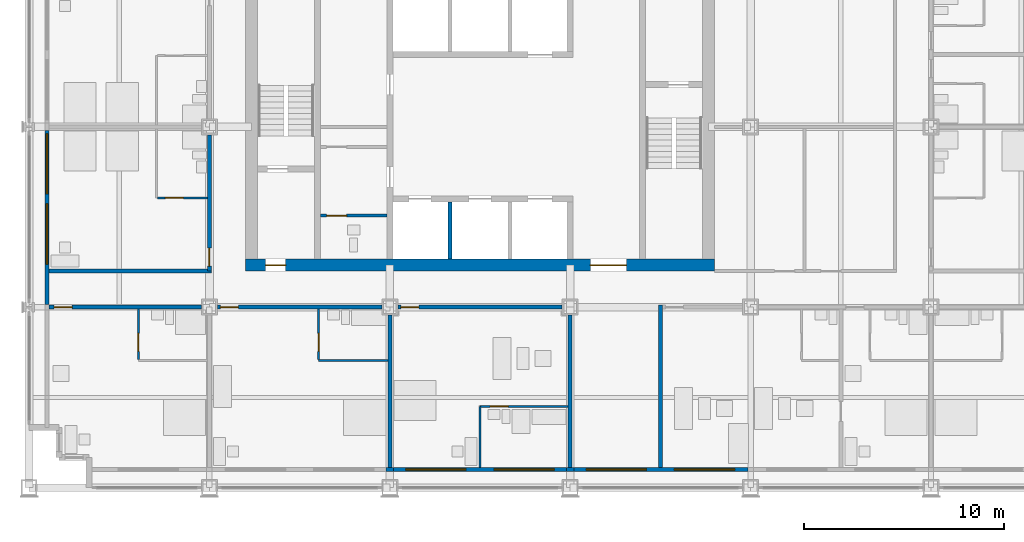
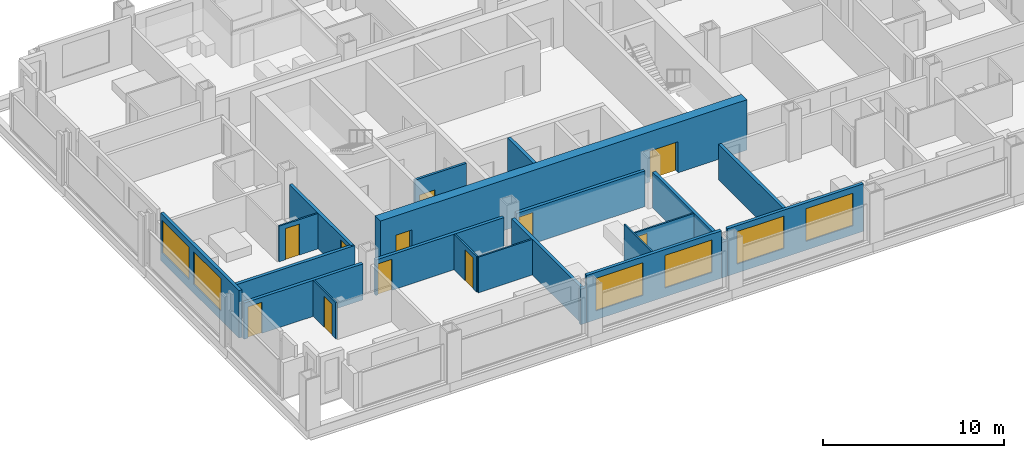
# One storey, part 10 of 18: 22 walls, 11 doors, 6 windows, 17 openings.
"""IFC4 building model written with IfcOpenShell, lengths in metres."""

import ifcopenshell
import ifcopenshell.guid

model = None  # the IFC model being written
_history = None  # IfcOwnerHistory: only IFC2X3 demands one
_inside = {}  # id of a spatial element -> (the spatial element, [elements in it])
_under = {}  # id of a project, library or spatial element -> (it, [spatial elements below it])
_declared = {}  # id of a project -> (the project, [libraries it declares])
_typed = {}  # id of a type object -> (the type object, [elements of that type])
_made_of = {}  # id of a material, layer set ... -> (it, [elements and type objects made of it])


def new_model(schema):
    """Start an empty IFC model of exactly this schema.

    Asked for "IFC4X3", IfcOpenShell would pick the latest addendum, in which some entities
    have other attributes; the version numbers below select the first issue.
    IFC2X3 requires an IfcOwnerHistory on every rooted entity: one is made here for all.
    """
    global model, _history
    if schema == "IFC4X3":
        model = ifcopenshell.file(schema_version=(4, 3, 0, 0))
    else:
        model = ifcopenshell.file(schema=schema)
    _inside.clear()
    _under.clear()
    _declared.clear()
    _typed.clear()
    _made_of.clear()
    _history = None
    if model.schema == "IFC2X3":
        org = make("IfcOrganization", Name="unknown")
        user = make(
            "IfcPersonAndOrganization",
            ThePerson=make("IfcPerson", FamilyName="unknown"),
            TheOrganization=org,
        )
        app = make(
            "IfcApplication",
            ApplicationDeveloper=org,
            Version="unknown",
            ApplicationFullName="unknown",
            ApplicationIdentifier="unknown",
        )
        _history = make(
            "IfcOwnerHistory",
            OwningUser=user,
            OwningApplication=app,
            ChangeAction="ADDED",
            CreationDate=0,
        )
    return model


def make(cls, **values):
    """One entity of the class cls with the attributes given. An attribute that is None is left unset."""
    return model.create_entity(
        cls, **{name: value for name, value in values.items() if value is not None}
    )


def rooted(cls, **values):
    """An entity with a GlobalId (a new one), such as an element, a storey or a relation."""
    return make(cls, GlobalId=ifcopenshell.guid.new(), OwnerHistory=_history, **values)


def si_unit(unit_type, name, prefix=None):
    """IfcSIUnit, for example si_unit("LENGTHUNIT", "METRE", prefix="MILLI")."""
    return make("IfcSIUnit", UnitType=unit_type, Prefix=prefix, Name=name)


def assignment(units):
    """IfcUnitAssignment: the units of a project."""
    return None if units is None else make("IfcUnitAssignment", Units=units)


def point(xyz):
    """IfcCartesianPoint."""
    return None if xyz is None else make("IfcCartesianPoint", Coordinates=xyz)


def direction(xyz):
    """IfcDirection."""
    return None if xyz is None else make("IfcDirection", DirectionRatios=xyz)


def frame(location, z_axis=None, x_axis=None):
    """IfcAxis2Placement3D, a coordinate frame: its origin and axes. An axis left out is left unset."""
    return make(
        "IfcAxis2Placement3D",
        Location=point(location),
        Axis=direction(z_axis),
        RefDirection=direction(x_axis),
    )


def frame_2d(location, x_axis=None):
    """IfcAxis2Placement2D, a coordinate frame in the plane: its origin and x axis."""
    return make(
        "IfcAxis2Placement2D", Location=point(location), RefDirection=direction(x_axis)
    )


def origin():
    """The frame at (0, 0, 0) with its axes left unset."""
    return frame((0.0, 0.0, 0.0))


def place(relative_to, where):
    """IfcLocalPlacement: puts the frame where relative to a parent placement (None: the world)."""
    return make(
        "IfcLocalPlacement", PlacementRelTo=relative_to, RelativePlacement=where
    )


def context(
    kind, dimensions, precision=None, world=None, true_north=None, identifier=None
):
    """IfcGeometricRepresentationContext, for example the 3D "Model" context."""
    return make(
        "IfcGeometricRepresentationContext",
        ContextIdentifier=identifier,
        ContextType=kind,
        CoordinateSpaceDimension=dimensions,
        Precision=precision,
        WorldCoordinateSystem=world,
        TrueNorth=true_north,
    )


def subcontext(parent, identifier, kind, view, scale=None):
    """IfcGeometricRepresentationSubContext, for example "Body" below "Model"."""
    return make(
        "IfcGeometricRepresentationSubContext",
        ContextIdentifier=identifier,
        ContextType=kind,
        ParentContext=parent,
        TargetScale=scale,
        TargetView=view,
    )


def project(units=None, contexts=None):
    """IfcProject with its units and contexts."""
    return rooted(
        "IfcProject",
        Name="project",
        RepresentationContexts=contexts,
        UnitsInContext=assignment(units),
    )


def spatial(cls, under=None, at=None, **own):
    """A site, building, storey or space (cls), placed at a placement, below another one or the project."""
    s = rooted(cls, ObjectPlacement=at, **own)
    if under is not None:
        _under.setdefault(under.id(), (under, []))[1].append(s)
    return s


def profile(cls, at=None, kind="AREA", **sizes):
    """A parametric profile (cls). Its sizes go by their IFC names, for example OverallWidth=200.0."""
    return make(cls, ProfileType=kind, Position=at, **sizes)


def rectangle(**sizes):
    """IfcRectangleProfileDef."""
    return profile("IfcRectangleProfileDef", **sizes)


def extrude(swept, where, along, depth):
    """IfcExtrudedAreaSolid: the profile swept, set in the frame where, extruded along a direction by depth."""
    return make(
        "IfcExtrudedAreaSolid",
        SweptArea=swept,
        Position=where,
        ExtrudedDirection=direction(along),
        Depth=depth,
    )


def shape(context_of_items, identifier, shape_type, items):
    """IfcShapeRepresentation: the items that make up one representation, for example the "Body"."""
    return make(
        "IfcShapeRepresentation",
        ContextOfItems=context_of_items,
        RepresentationIdentifier=identifier,
        RepresentationType=shape_type,
        Items=items,
    )


def material(Name=None, Category=None):
    """IfcMaterial."""
    return make("IfcMaterial", Name=Name, Category=Category)


def layer(
    of_material, thickness, ventilated=None, Name=None, Category=None, Priority=None
):
    """IfcMaterialLayer: one layer of a wall or slab, of a material (None: an air gap)."""
    return make(
        "IfcMaterialLayer",
        Material=of_material,
        LayerThickness=thickness,
        IsVentilated=ventilated,
        Name=Name,
        Category=Category,
        Priority=Priority,
    )


def layer_set(layers, Name=None):
    """IfcMaterialLayerSet."""
    return make("IfcMaterialLayerSet", MaterialLayers=layers, LayerSetName=Name)


def made_of(thing, what):
    """Note that an element or type object is made of a material, layer set ...; save() writes the relation."""
    if what is not None:
        _made_of.setdefault(what.id(), (what, []))[1].append(thing)
    return thing


def type_object(cls, material=None, **own):
    """A type object (cls), such as IfcWallType, which elements share."""
    return made_of(rooted(cls, **own), material)


def element(
    cls,
    number,
    at=None,
    inside=None,
    cuts=None,
    type_object=None,
    material=None,
    context=None,
    identifier="Body",
    shape_type=None,
    held_by="IfcProductDefinitionShape",
    body=None,
    shapes=None,
    **own,
):
    """One element of the class cls, such as IfcWall. Its Tag is "e" and its number.

    at: its placement. inside: the storey or other place that contains it. cuts: it is an
    opening in that element (IfcRelVoidsElement). A single representation is given by context,
    identifier, shape_type and body (its items); several are given by shapes. held_by: the class
    of the entity that holds the representations. save() writes the other relations.
    """
    e = rooted(cls, Tag="e%d" % number, ObjectPlacement=at, **own)
    if body is not None:
        shapes = [shape(context, identifier, shape_type, body)]
    if shapes is not None:
        e.Representation = make(held_by, Representations=shapes)
    if inside is not None:
        _inside.setdefault(inside.id(), (inside, []))[1].append(e)
    if cuts is not None:
        rooted(
            "IfcRelVoidsElement", RelatingBuildingElement=cuts, RelatedOpeningElement=e
        )
    if type_object is not None:
        _typed.setdefault(type_object.id(), (type_object, []))[1].append(e)
    return made_of(e, material)


def fill(opening, filler):
    """IfcRelFillsElement: the door or window that sits in an opening."""
    return rooted(
        "IfcRelFillsElement",
        RelatingOpeningElement=opening,
        RelatedBuildingElement=filler,
    )


def aggregate(whole, parts):
    """IfcRelAggregates: a whole, such as a stair, and the parts it consists of."""
    return rooted("IfcRelAggregates", RelatingObject=whole, RelatedObjects=parts)


def save(model, path):
    """Write the relations noted so far, then the file.

    IfcRelAggregates (storeys below a building ...), IfcRelContainedInSpatialStructure (elements
    in a storey), IfcRelDefinesByType, IfcRelAssociatesMaterial and IfcRelDeclares: one each for
    every whole, place, type object, material and project.
    """
    for whole, parts in _under.values():
        aggregate(whole, parts)
    for where, things in _inside.values():
        rooted(
            "IfcRelContainedInSpatialStructure",
            RelatedElements=things,
            RelatingStructure=where,
        )
    for kind, things in _typed.values():
        rooted("IfcRelDefinesByType", RelatedObjects=things, RelatingType=kind)
    for what, things in _made_of.values():
        rooted("IfcRelAssociatesMaterial", RelatedObjects=things, RelatingMaterial=what)
    for by, libraries in _declared.values():
        rooted("IfcRelDeclares", RelatingContext=by, RelatedDefinitions=libraries)
    model.write(path)


model = new_model("IFC4")

# Units and contexts
model_context = context("Model", 3, precision=1e-05, world=origin(), true_north=direction((0.0, 1.0)))
body_context = subcontext(model_context, "Body", "Model", "MODEL_VIEW")
ifc_project = project(units=[si_unit("LENGTHUNIT", "METRE"), si_unit("AREAUNIT", "SQUARE_METRE"), si_unit("VOLUMEUNIT", "CUBIC_METRE"), si_unit("PLANEANGLEUNIT", "RADIAN"), si_unit("MASSUNIT", "GRAM", prefix="KILO")], contexts=[model_context])

# Site, building, storey
site_placement = place(None, origin())
site = spatial("IfcSite", under=ifc_project, at=site_placement, CompositionType="ELEMENT")
building_placement = place(site_placement, origin())
building = spatial("IfcBuilding", under=site, at=building_placement, Name="Loomwork Tower", CompositionType="ELEMENT")
storey_placement = place(building_placement, frame((0.0, 0.0, 79.0)))
storey = spatial("IfcBuildingStorey", under=building, at=storey_placement, Name="L20", CompositionType="ELEMENT", Elevation=79.0)

# Wall, openings, doors
ifc_material_1 = material(Name="Concrete 14000 psi (97 MPa)", Category="concrete")
ifc_layer_1 = layer(ifc_material_1, 0.60009765625)
ifc_layer_set_1 = layer_set([ifc_layer_1], Name="Core shear wall 600")
wall_type_1 = type_object("IfcWallType", Name="Core shear wall 600", PredefinedType="SHEAR", material=ifc_layer_set_1)
wall_1_placement = place(storey_placement, frame((10.800048828125, 11.10009765625, 0.0), z_axis=(0.0, 0.0, 1.0), x_axis=(1.0, 0.0, 0.0)))
wall_1 = element("IfcWall", 1, at=wall_1_placement, inside=storey, type_object=wall_type_1, Name="Core wall south L20", PredefinedType="SHEAR", context=body_context, shape_type="SweptSolid", body=[
    extrude(rectangle(XDim=23.39990234375, YDim=0.60009765625, at=frame_2d((11.699951171875, 0.0))), origin(), (0.0, 0.0, 1.0), 3.39990234375),
])
opening_1_placement = place(wall_1_placement, frame((1.0, 0.0, 0.0)))
opening_1 = element("IfcOpeningElement", 2, at=opening_1_placement, cuts=wall_1, Name="Opening D4", PredefinedType="OPENING", context=body_context, shape_type="SweptSolid", body=[
    extrude(rectangle(XDim=1.0, YDim=2.10009765625, at=frame_2d((0.5, 1.050048828125))), frame((0.0, 0.31005859375, 0.0), z_axis=(0.0, -1.0, 0.0), x_axis=(1.0, 0.0, 0.0)), (0.0, 0.0, 1.0), 0.6201171875),
])
opening_2_placement = place(wall_1_placement, frame((17.199951171875, 0.0, 0.0)))
opening_2 = element("IfcOpeningElement", 3, at=opening_2_placement, cuts=wall_1, Name="Opening D6", PredefinedType="OPENING", context=body_context, shape_type="SweptSolid", body=[
    extrude(rectangle(XDim=1.800048828125, YDim=2.10009765625, at=frame_2d((0.89990234375, 1.050048828125))), frame((0.0, 0.31005859375, 0.0), z_axis=(0.0, -1.0, 0.0), x_axis=(1.0, 0.0, 0.0)), (0.0, 0.0, 1.0), 0.6201171875),
])
ifc_material_2 = material(Name="Hollow metal door and frame")
door_type_1 = type_object("IfcDoorType", Name="Lobby passage double door 1800", OperationType="DOUBLE_DOOR_SINGLE_SWING", PredefinedType="DOOR", material=ifc_material_2)
door_1_placement = place(opening_2_placement, origin())
door_1 = element("IfcDoor", 4, at=door_1_placement, inside=storey, type_object=door_type_1, Name="Lobby passage door south", OperationType="DOUBLE_DOOR_SINGLE_SWING", OverallHeight=2.10009765625, OverallWidth=1.800048828125, PredefinedType="DOOR", context=body_context, shape_type="SweptSolid", body=[
    extrude(rectangle(XDim=1.800048828125, YDim=2.10009765625, at=frame_2d((0.89990234375, 1.050048828125))), frame((0.0, 0.02490234375, 0.0), z_axis=(0.0, -1.0, 0.0), x_axis=(1.0, 0.0, 0.0)), (0.0, 0.0, 1.0), 0.050048828125),
])
fill(opening_2, door_1)
ifc_material_3 = material(Name="Hollow metal door and frame")
door_type_2 = type_object("IfcDoorType", Name="Stair door 1000", OperationType="SINGLE_SWING_RIGHT", PredefinedType="DOOR", material=ifc_material_3)
door_2_placement = place(opening_1_placement, origin())
door_2 = element("IfcDoor", 5, at=door_2_placement, inside=storey, type_object=door_type_2, Name="Stair A vestibule door", OperationType="SINGLE_SWING_LEFT", OverallHeight=2.10009765625, OverallWidth=1.0, PredefinedType="DOOR", context=body_context, shape_type="SweptSolid", body=[
    extrude(rectangle(XDim=1.0, YDim=2.10009765625, at=frame_2d((0.5, 1.050048828125))), frame((0.0, 0.02490234375, 0.0), z_axis=(0.0, -1.0, 0.0), x_axis=(1.0, 0.0, 0.0)), (0.0, 0.0, 1.0), 0.050048828125),
])
fill(opening_1, door_2)

# Wall, opening, door
ifc_material_4 = material(Name="Gypsum board on steel studs, one-hour", Category="steel")
ifc_layer_2 = layer(ifc_material_4, 0.199951171875)
ifc_layer_set_2 = layer_set([ifc_layer_2], Name="Corridor wall 200")
wall_type_2 = type_object("IfcWallType", Name="Corridor wall 200", PredefinedType="PARTITIONING", material=ifc_layer_set_2)
wall_2_placement = place(storey_placement, frame((1.0, 9.0, 0.0), z_axis=(0.0, 0.0, 1.0), x_axis=(1.0, 0.0, 0.0)))
wall_2 = element("IfcWall", 6, at=wall_2_placement, inside=storey, type_object=wall_type_2, Name="South corridor wall 1", PredefinedType="PARTITIONING", context=body_context, shape_type="SweptSolid", body=[
    extrude(rectangle(XDim=7.60009765625, YDim=0.199951171875, at=frame_2d((3.800048828125, 0.0))), origin(), (0.0, 0.0, 1.0), 2.43798828125),
])
opening_3_placement = place(wall_2_placement, frame((0.25, 0.0, 0.0)))
opening_3 = element("IfcOpeningElement", 7, at=opening_3_placement, cuts=wall_2, Name="Opening D1", PredefinedType="OPENING", context=body_context, shape_type="SweptSolid", body=[
    extrude(rectangle(XDim=0.89990234375, YDim=2.10009765625, at=frame_2d((0.449951171875, 1.050048828125))), frame((0.0, 0.10986328125, 0.0), z_axis=(0.0, -1.0, 0.0), x_axis=(1.0, 0.0, 0.0)), (0.0, 0.0, 1.0), 0.219970703125),
])
ifc_material_5 = material(Name="Hollow metal door and frame")
door_type_3 = type_object("IfcDoorType", Name="Guest room entry door 900", OperationType="SINGLE_SWING_LEFT", PredefinedType="DOOR", material=ifc_material_5)
door_3_placement = place(opening_3_placement, frame((0.89990234375, 0.0, 0.0), z_axis=(0.0, 0.0, 1.0), x_axis=(-1.0, 0.0, 0.0)))
door_3 = element("IfcDoor", 8, at=door_3_placement, inside=storey, type_object=door_type_3, Name="Guest room entry door L20 1", OperationType="SINGLE_SWING_RIGHT", OverallHeight=2.10009765625, OverallWidth=0.89990234375, PredefinedType="DOOR", context=body_context, shape_type="SweptSolid", body=[
    extrude(rectangle(XDim=0.89990234375, YDim=2.10009765625, at=frame_2d((0.449951171875, 1.050048828125))), frame((0.0, 0.02490234375, 0.0), z_axis=(0.0, -1.0, 0.0), x_axis=(1.0, 0.0, 0.0)), (0.0, 0.0, 1.0), 0.050048828125),
])
fill(opening_3, door_3)

wall_3_placement = place(storey_placement, frame((9.39990234375, 9.0, 0.0), z_axis=(0.0, 0.0, 1.0), x_axis=(1.0, 0.0, 0.0)))
wall_3 = element("IfcWall", 9, at=wall_3_placement, inside=storey, type_object=wall_type_2, Name="South corridor wall 2", PredefinedType="PARTITIONING", context=body_context, shape_type="SweptSolid", body=[
    extrude(rectangle(XDim=8.2001953125, YDim=0.199951171875, at=frame_2d((4.10009765625, 0.0))), origin(), (0.0, 0.0, 1.0), 2.405029296875),
])
opening_4_placement = place(wall_3_placement, frame((0.14990234375, 0.0, 0.0)))
opening_4 = element("IfcOpeningElement", 10, at=opening_4_placement, cuts=wall_3, Name="Opening D1", PredefinedType="OPENING", context=body_context, shape_type="SweptSolid", body=[
    extrude(rectangle(XDim=0.89990234375, YDim=2.10009765625, at=frame_2d((0.449951171875, 1.050048828125))), frame((0.0, 0.10986328125, 0.0), z_axis=(0.0, -1.0, 0.0), x_axis=(1.0, 0.0, 0.0)), (0.0, 0.0, 1.0), 0.219970703125),
])
door_4_placement = place(opening_4_placement, frame((0.89990234375, 0.0, 0.0), z_axis=(0.0, 0.0, 1.0), x_axis=(-1.0, 0.0, 0.0)))
door_4 = element("IfcDoor", 11, at=door_4_placement, inside=storey, type_object=door_type_3, Name="Guest room entry door L20 2", OperationType="SINGLE_SWING_RIGHT", OverallHeight=2.10009765625, OverallWidth=0.89990234375, PredefinedType="DOOR", context=body_context, shape_type="SweptSolid", body=[
    extrude(rectangle(XDim=0.89990234375, YDim=2.10009765625, at=frame_2d((0.449951171875, 1.050048828125))), frame((0.0, 0.02490234375, 0.0), z_axis=(0.0, -1.0, 0.0), x_axis=(1.0, 0.0, 0.0)), (0.0, 0.0, 1.0), 0.050048828125),
])
fill(opening_4, door_4)

wall_4_placement = place(storey_placement, frame((18.39990234375, 9.0, 0.0), z_axis=(0.0, 0.0, 1.0), x_axis=(1.0, 0.0, 0.0)))
wall_4 = element("IfcWall", 12, at=wall_4_placement, inside=storey, type_object=wall_type_2, Name="South corridor wall 3", PredefinedType="PARTITIONING", context=body_context, shape_type="SweptSolid", body=[
    extrude(rectangle(XDim=8.2001953125, YDim=0.199951171875, at=frame_2d((4.10009765625, 0.0))), origin(), (0.0, 0.0, 1.0), 2.405029296875),
])
opening_5_placement = place(wall_4_placement, frame((0.14990234375, 0.0, 0.0)))
opening_5 = element("IfcOpeningElement", 13, at=opening_5_placement, cuts=wall_4, Name="Opening D1", PredefinedType="OPENING", context=body_context, shape_type="SweptSolid", body=[
    extrude(rectangle(XDim=0.89990234375, YDim=2.10009765625, at=frame_2d((0.449951171875, 1.050048828125))), frame((0.0, 0.10986328125, 0.0), z_axis=(0.0, -1.0, 0.0), x_axis=(1.0, 0.0, 0.0)), (0.0, 0.0, 1.0), 0.219970703125),
])
door_5_placement = place(opening_5_placement, frame((0.89990234375, 0.0, 0.0), z_axis=(0.0, 0.0, 1.0), x_axis=(-1.0, 0.0, 0.0)))
door_5 = element("IfcDoor", 14, at=door_5_placement, inside=storey, type_object=door_type_3, Name="Guest room entry door L20 3", OperationType="SINGLE_SWING_RIGHT", OverallHeight=2.10009765625, OverallWidth=0.89990234375, PredefinedType="DOOR", context=body_context, shape_type="SweptSolid", body=[
    extrude(rectangle(XDim=0.89990234375, YDim=2.10009765625, at=frame_2d((0.449951171875, 1.050048828125))), frame((0.0, 0.02490234375, 0.0), z_axis=(0.0, -1.0, 0.0), x_axis=(1.0, 0.0, 0.0)), (0.0, 0.0, 1.0), 0.050048828125),
])
fill(opening_5, door_5)

wall_5_placement = place(storey_placement, frame((9.0, 10.800048828125, 0.0), z_axis=(0.0, 0.0, 1.0), x_axis=(0.0, 1.0, 0.0)))
wall_5 = element("IfcWall", 15, at=wall_5_placement, inside=storey, type_object=wall_type_2, Name="West corridor wall 1", PredefinedType="PARTITIONING", context=body_context, shape_type="SweptSolid", body=[
    extrude(rectangle(XDim=6.800048828125, YDim=0.199951171875, at=frame_2d((3.39990234375, 0.0))), origin(), (0.0, 0.0, 1.0), 2.405029296875),
])
opening_6_placement = place(wall_5_placement, frame((0.25, 0.0, 0.0)))
opening_6 = element("IfcOpeningElement", 16, at=opening_6_placement, cuts=wall_5, Name="Opening D1", PredefinedType="OPENING", context=body_context, shape_type="SweptSolid", body=[
    extrude(rectangle(XDim=0.89990234375, YDim=2.10009765625, at=frame_2d((0.449951171875, 1.050048828125))), frame((0.0, 0.10986328125, 0.0), z_axis=(0.0, -1.0, 0.0), x_axis=(1.0, 0.0, 0.0)), (0.0, 0.0, 1.0), 0.219970703125),
])
door_6_placement = place(opening_6_placement, origin())
door_6 = element("IfcDoor", 17, at=door_6_placement, inside=storey, type_object=door_type_3, Name="Guest room entry door L20 14", OperationType="SINGLE_SWING_LEFT", OverallHeight=2.10009765625, OverallWidth=0.89990234375, PredefinedType="DOOR", context=body_context, shape_type="SweptSolid", body=[
    extrude(rectangle(XDim=0.89990234375, YDim=2.10009765625, at=frame_2d((0.449951171875, 1.050048828125))), frame((0.0, 0.02490234375, 0.0), z_axis=(0.0, -1.0, 0.0), x_axis=(1.0, 0.0, 0.0)), (0.0, 0.0, 1.0), 0.050048828125),
])
fill(opening_6, door_6)

# Wall
wall_6_placement = place(storey_placement, frame((1.0, 10.800048828125, 0.0), z_axis=(0.0, 0.0, 1.0), x_axis=(1.0, 0.0, 0.0)))
element("IfcWall", 18, at=wall_6_placement, inside=storey, type_object=wall_type_2, Name="West band end wall S", PredefinedType="PARTITIONING", context=body_context, shape_type="SweptSolid", body=[
    extrude(rectangle(XDim=8.10009765625, YDim=0.199951171875, at=frame_2d((4.050048828125, 0.0))), origin(), (0.0, 0.0, 1.0), 2.404052734375),
])

# Wall, opening, door
ifc_material_6 = material(Name="Cement board on steel studs", Category="steel")
ifc_layer_3 = layer(ifc_material_6, 0.10009765625)
ifc_layer_set_3 = layer_set([ifc_layer_3], Name="En-suite partition 100")
wall_type_3 = type_object("IfcWallType", Name="En-suite partition 100", PredefinedType="PARTITIONING", material=ifc_layer_set_3)
wall_7_placement = place(storey_placement, frame((5.449951171875, 8.89990234375, 0.0), z_axis=(0.0, 0.0, 1.0), x_axis=(0.0, -1.0, 0.0)))
wall_7 = element("IfcWall", 19, at=wall_7_placement, inside=storey, type_object=wall_type_3, Name="En-suite side wall L20 room 1", PredefinedType="PARTITIONING", context=body_context, shape_type="SweptSolid", body=[
    extrude(rectangle(XDim=2.5, YDim=0.10009765625, at=frame_2d((1.25, 0.0))), origin(), (0.0, 0.0, 1.0), 2.43798828125),
])
opening_7_placement = place(wall_7_placement, frame((1.199951171875, 0.0, 0.0)))
opening_7 = element("IfcOpeningElement", 20, at=opening_7_placement, cuts=wall_7, Name="Opening D3", PredefinedType="OPENING", context=body_context, shape_type="SweptSolid", body=[
    extrude(rectangle(XDim=0.89990234375, YDim=2.10009765625, at=frame_2d((0.449951171875, 1.050048828125))), frame((0.0, 0.06005859375, 0.0), z_axis=(0.0, -1.0, 0.0), x_axis=(1.0, 0.0, 0.0)), (0.0, 0.0, 1.0), 0.1201171875),
])
ifc_material_7 = material(Name="Hollow metal door and frame")
door_type_4 = type_object("IfcDoorType", Name="Accessible en-suite door 900", OperationType="SLIDING_TO_LEFT", PredefinedType="DOOR", material=ifc_material_7)
door_7_placement = place(opening_7_placement, origin())
door_7 = element("IfcDoor", 21, at=door_7_placement, inside=storey, type_object=door_type_4, Name="Accessible en-suite door room 1", OperationType="SLIDING_TO_LEFT", OverallHeight=2.10009765625, OverallWidth=0.89990234375, PredefinedType="DOOR", context=body_context, shape_type="SweptSolid", body=[
    extrude(rectangle(XDim=0.89990234375, YDim=2.10009765625, at=frame_2d((0.449951171875, 1.050048828125))), frame((0.0, 0.02490234375, 0.0), z_axis=(0.0, -1.0, 0.0), x_axis=(1.0, 0.0, 0.0)), (0.0, 0.0, 1.0), 0.050048828125),
])
fill(opening_7, door_7)

# Wall
wall_8_placement = place(storey_placement, frame((14.449951171875, 6.35009765625, 0.0), z_axis=(0.0, 0.0, 1.0), x_axis=(1.0, 0.0, 0.0)))
element("IfcWall", 22, at=wall_8_placement, inside=storey, type_object=wall_type_3, Name="En-suite wall L20 room 2", PredefinedType="PARTITIONING", context=body_context, shape_type="SweptSolid", body=[
    extrude(rectangle(XDim=3.449951171875, YDim=0.10009765625, at=frame_2d((1.72509765625, 0.0))), origin(), (0.0, 0.0, 1.0), 2.404052734375),
])

# Wall, opening, door
wall_9_placement = place(storey_placement, frame((14.449951171875, 8.89990234375, 0.0), z_axis=(0.0, 0.0, 1.0), x_axis=(0.0, -1.0, 0.0)))
wall_9 = element("IfcWall", 23, at=wall_9_placement, inside=storey, type_object=wall_type_3, Name="En-suite side wall L20 room 2", PredefinedType="PARTITIONING", context=body_context, shape_type="SweptSolid", body=[
    extrude(rectangle(XDim=2.5, YDim=0.10009765625, at=frame_2d((1.25, 0.0))), origin(), (0.0, 0.0, 1.0), 2.404052734375),
])
opening_8_placement = place(wall_9_placement, frame((1.199951171875, 0.0, 0.0)))
opening_8 = element("IfcOpeningElement", 24, at=opening_8_placement, cuts=wall_9, Name="Opening D2", PredefinedType="OPENING", context=body_context, shape_type="SweptSolid", body=[
    extrude(rectangle(XDim=0.89990234375, YDim=2.10009765625, at=frame_2d((0.449951171875, 1.050048828125))), frame((0.0, 0.06005859375, 0.0), z_axis=(0.0, -1.0, 0.0), x_axis=(1.0, 0.0, 0.0)), (0.0, 0.0, 1.0), 0.1201171875),
])
ifc_material_8 = material(Name="Hollow metal door and frame")
door_type_5 = type_object("IfcDoorType", Name="En-suite door 900", OperationType="SINGLE_SWING_LEFT", PredefinedType="DOOR", material=ifc_material_8)
door_8_placement = place(opening_8_placement, origin())
door_8 = element("IfcDoor", 25, at=door_8_placement, inside=storey, type_object=door_type_5, Name="En-suite door room 2", OperationType="SINGLE_SWING_RIGHT", OverallHeight=2.10009765625, OverallWidth=0.89990234375, PredefinedType="DOOR", context=body_context, shape_type="SweptSolid", body=[
    extrude(rectangle(XDim=0.89990234375, YDim=2.10009765625, at=frame_2d((0.449951171875, 1.050048828125))), frame((0.0, 0.02490234375, 0.0), z_axis=(0.0, -1.0, 0.0), x_axis=(1.0, 0.0, 0.0)), (0.0, 0.0, 1.0), 0.050048828125),
])
fill(opening_8, door_8)

wall_10_placement = place(storey_placement, frame((22.5, 4.050048828125, 0.0), z_axis=(0.0, 0.0, 1.0), x_axis=(1.0, 0.0, 0.0)))
wall_10 = element("IfcWall", 26, at=wall_10_placement, inside=storey, type_object=wall_type_3, Name="Spa bathroom wall L20 room 3", PredefinedType="PARTITIONING", context=body_context, shape_type="SweptSolid", body=[
    extrude(rectangle(XDim=4.39990234375, YDim=0.10009765625, at=frame_2d((2.199951171875, 0.0))), origin(), (0.0, 0.0, 1.0), 2.404052734375),
])
opening_9_placement = place(wall_10_placement, frame((0.5, 0.0, 0.0)))
opening_9 = element("IfcOpeningElement", 27, at=opening_9_placement, cuts=wall_10, Name="Opening D2", PredefinedType="OPENING", context=body_context, shape_type="SweptSolid", body=[
    extrude(rectangle(XDim=0.89990234375, YDim=2.10009765625, at=frame_2d((0.449951171875, 1.050048828125))), frame((0.0, 0.06005859375, 0.0), z_axis=(0.0, -1.0, 0.0), x_axis=(1.0, 0.0, 0.0)), (0.0, 0.0, 1.0), 0.1201171875),
])
door_9_placement = place(opening_9_placement, frame((0.89990234375, 0.0, 0.0), z_axis=(0.0, 0.0, 1.0), x_axis=(-1.0, 0.0, 0.0)))
door_9 = element("IfcDoor", 28, at=door_9_placement, inside=storey, type_object=door_type_5, Name="Spa bathroom door room 3", OperationType="SINGLE_SWING_RIGHT", OverallHeight=2.10009765625, OverallWidth=0.89990234375, PredefinedType="DOOR", context=body_context, shape_type="SweptSolid", body=[
    extrude(rectangle(XDim=0.89990234375, YDim=2.10009765625, at=frame_2d((0.449951171875, 1.050048828125))), frame((0.0, 0.02490234375, 0.0), z_axis=(0.0, -1.0, 0.0), x_axis=(1.0, 0.0, 0.0)), (0.0, 0.0, 1.0), 0.050048828125),
])
fill(opening_9, door_9)

# Wall
wall_11_placement = place(storey_placement, frame((22.5, 4.050048828125, 0.0), z_axis=(0.0, 0.0, 1.0), x_axis=(0.0, -1.0, 0.0)))
element("IfcWall", 29, at=wall_11_placement, inside=storey, type_object=wall_type_3, Name="Spa bathroom side wall L20 room 3", PredefinedType="PARTITIONING", context=body_context, shape_type="SweptSolid", body=[
    extrude(rectangle(XDim=3.050048828125, YDim=0.10009765625, at=frame_2d((1.52490234375, 0.0))), origin(), (0.0, 0.0, 1.0), 3.199951171875),
])

# Wall, opening, door
wall_12_placement = place(storey_placement, frame((8.89990234375, 14.449951171875, 0.0), z_axis=(0.0, 0.0, 1.0), x_axis=(-1.0, 0.0, 0.0)))
wall_12 = element("IfcWall", 30, at=wall_12_placement, inside=storey, type_object=wall_type_3, Name="En-suite side wall L20 room 14", PredefinedType="PARTITIONING", context=body_context, shape_type="SweptSolid", body=[
    extrude(rectangle(XDim=2.5, YDim=0.10009765625, at=frame_2d((1.25, 0.0))), origin(), (0.0, 0.0, 1.0), 2.404052734375),
])
opening_10_placement = place(wall_12_placement, frame((1.199951171875, 0.0, 0.0)))
opening_10 = element("IfcOpeningElement", 31, at=opening_10_placement, cuts=wall_12, Name="Opening D2", PredefinedType="OPENING", context=body_context, shape_type="SweptSolid", body=[
    extrude(rectangle(XDim=0.89990234375, YDim=2.10009765625, at=frame_2d((0.449951171875, 1.050048828125))), frame((0.0, 0.06005859375, 0.0), z_axis=(0.0, -1.0, 0.0), x_axis=(1.0, 0.0, 0.0)), (0.0, 0.0, 1.0), 0.1201171875),
])
door_10_placement = place(opening_10_placement, frame((0.89990234375, 0.0, 0.0), z_axis=(0.0, 0.0, 1.0), x_axis=(-1.0, 0.0, 0.0)))
door_10 = element("IfcDoor", 32, at=door_10_placement, inside=storey, type_object=door_type_5, Name="En-suite door room 14", OperationType="SINGLE_SWING_LEFT", OverallHeight=2.10009765625, OverallWidth=0.89990234375, PredefinedType="DOOR", context=body_context, shape_type="SweptSolid", body=[
    extrude(rectangle(XDim=0.89990234375, YDim=2.10009765625, at=frame_2d((0.449951171875, 1.050048828125))), frame((0.0, 0.02490234375, 0.0), z_axis=(0.0, -1.0, 0.0), x_axis=(1.0, 0.0, 0.0)), (0.0, 0.0, 1.0), 0.050048828125),
])
fill(opening_10, door_10)

# Walls
ifc_material_9 = material(Name="Gypsum board on steel studs, acoustic", Category="steel")
ifc_layer_4 = layer(ifc_material_9, 0.199951171875)
ifc_layer_set_4 = layer_set([ifc_layer_4], Name="Guest room party wall 200")
wall_type_4 = type_object("IfcWallType", Name="Guest room party wall 200", PredefinedType="PARTITIONING", material=ifc_layer_set_4)
for number, where, z_axis, x_axis, name in (
    (33, (18.0, 8.60009765625, 0.0), (0.0, 0.0, 1.0), (0.0, -1.0, 0.0), "Guest room party wall S 18"),
    (34, (27.0, 8.60009765625, 0.0), (0.0, 0.0, 1.0), (0.0, -1.0, 0.0), "Guest room party wall S 27"),
):
    element("IfcWall", number, at=place(storey_placement, frame(where, z_axis=z_axis, x_axis=x_axis)), inside=storey, type_object=wall_type_4, Name=name, PredefinedType="PARTITIONING", context=body_context, shape_type="SweptSolid", body=[
        extrude(rectangle(XDim=7.60009765625, YDim=0.199951171875, at=frame_2d((3.800048828125, 0.0))), origin(), (0.0, 0.0, 1.0), 2.405029296875),
    ])
wall_13_placement = place(storey_placement, frame((31.5, 9.10009765625, 0.0), z_axis=(0.0, 0.0, 1.0), x_axis=(0.0, -1.0, 0.0)))
element("IfcWall", 35, at=wall_13_placement, inside=storey, type_object=wall_type_4, Name="Guest room party wall S 31.5", PredefinedType="PARTITIONING", context=body_context, shape_type="SweptSolid", body=[
    extrude(rectangle(XDim=8.10009765625, YDim=0.199951171875, at=frame_2d((4.050048828125, 0.0))), origin(), (0.0, 0.0, 1.0), 2.404052734375),
])
ifc_material_10 = material(Name="Insulated steel stud wall with gypsum lining", Category="steel")
ifc_layer_5 = layer(ifc_material_10, 0.199951171875)
ifc_layer_set_5 = layer_set([ifc_layer_5], Name="Inner skin wall 200")
wall_type_5 = type_object("IfcWallType", Name="Inner skin wall 200", PredefinedType="SOLIDWALL", material=ifc_layer_set_5)
wall_14_placement = place(storey_placement, frame((17.80615234375, 0.89990234375, 0.0), z_axis=(0.0, 0.0, 1.0), x_axis=(1.0, 0.0, 0.0)))
element("IfcWall", 36, at=wall_14_placement, inside=storey, type_object=wall_type_5, Name="Inner skin wall S bay 4", PredefinedType="SOLIDWALL", context=body_context, shape_type="SweptSolid", body=[
    extrude(rectangle(XDim=0.3876953125, YDim=0.199951171875, at=frame_2d((0.19384765625, 0.0))), origin(), (0.0, 0.0, 1.0), 2.404052734375),
])

# Wall, openings, windows
wall_15_placement = place(storey_placement, frame((18.19384765625, 0.89990234375, 0.0), z_axis=(0.0, 0.0, 1.0), x_axis=(1.0, 0.0, 0.0)))
wall_15 = element("IfcWall", 37, at=wall_15_placement, inside=storey, type_object=wall_type_5, Name="Inner skin wall S bay 5", PredefinedType="SOLIDWALL", context=body_context, shape_type="SweptSolid", body=[
    extrude(rectangle(XDim=8.6123046875, YDim=0.199951171875, at=frame_2d((4.30615234375, 0.0))), origin(), (0.0, 0.0, 1.0), 3.199951171875),
])
opening_11_placement = place(wall_15_placement, frame((0.606201171875, 0.0, 0.60009765625)))
opening_11 = element("IfcOpeningElement", 38, at=opening_11_placement, cuts=wall_15, Name="Opening CH1", PredefinedType="OPENING", context=body_context, shape_type="SweptSolid", body=[
    extrude(rectangle(XDim=3.0, YDim=2.199951171875, at=frame_2d((1.5, 1.10009765625))), frame((0.0, 0.10986328125, 0.0), z_axis=(0.0, -1.0, 0.0), x_axis=(1.0, 0.0, 0.0)), (0.0, 0.0, 1.0), 0.219970703125),
])
opening_12_placement = place(wall_15_placement, frame((5.006103515625, 0.0, 0.60009765625)))
opening_12 = element("IfcOpeningElement", 39, at=opening_12_placement, cuts=wall_15, Name="Opening CH1", PredefinedType="OPENING", context=body_context, shape_type="SweptSolid", body=[
    extrude(rectangle(XDim=3.0, YDim=2.199951171875, at=frame_2d((1.5, 1.10009765625))), frame((0.0, 0.10986328125, 0.0), z_axis=(0.0, -1.0, 0.0), x_axis=(1.0, 0.0, 0.0)), (0.0, 0.0, 1.0), 0.219970703125),
])
ifc_material_11 = material(Name="Aluminium frame with clear insulated glass", Category="aluminium")
window_type = type_object("IfcWindowType", Name="Chicago window 3000", PartitioningType="TRIPLE_PANEL_VERTICAL", PredefinedType="WINDOW", material=ifc_material_11)
window_1_placement = place(opening_11_placement, origin())
window_1 = element("IfcWindow", 40, at=window_1_placement, inside=storey, type_object=window_type, Name="Chicago window L20 bay 3", OverallHeight=2.199951171875, OverallWidth=3.0, PartitioningType="TRIPLE_PANEL_VERTICAL", PredefinedType="WINDOW", context=body_context, shape_type="SweptSolid", body=[
    extrude(rectangle(XDim=3.0, YDim=2.199951171875, at=frame_2d((1.5, 1.10009765625))), frame((0.0, 0.030029296875, 0.0), z_axis=(0.0, -1.0, 0.0), x_axis=(1.0, 0.0, 0.0)), (0.0, 0.0, 1.0), 0.06005859375),
])
fill(opening_11, window_1)
window_2_placement = place(opening_12_placement, origin())
window_2 = element("IfcWindow", 41, at=window_2_placement, inside=storey, type_object=window_type, Name="Chicago window L20 bay 3", OverallHeight=2.199951171875, OverallWidth=3.0, PartitioningType="TRIPLE_PANEL_VERTICAL", PredefinedType="WINDOW", context=body_context, shape_type="SweptSolid", body=[
    extrude(rectangle(XDim=3.0, YDim=2.199951171875, at=frame_2d((1.5, 1.10009765625))), frame((0.0, 0.030029296875, 0.0), z_axis=(0.0, -1.0, 0.0), x_axis=(1.0, 0.0, 0.0)), (0.0, 0.0, 1.0), 0.06005859375),
])
fill(opening_12, window_2)

# Wall
wall_16_placement = place(storey_placement, frame((26.80615234375, 0.89990234375, 0.0), z_axis=(0.0, 0.0, 1.0), x_axis=(1.0, 0.0, 0.0)))
element("IfcWall", 42, at=wall_16_placement, inside=storey, type_object=wall_type_5, Name="Inner skin wall S bay 6", PredefinedType="SOLIDWALL", context=body_context, shape_type="SweptSolid", body=[
    extrude(rectangle(XDim=0.3876953125, YDim=0.199951171875, at=frame_2d((0.19384765625, 0.0))), origin(), (0.0, 0.0, 1.0), 2.404052734375),
])

# Wall, openings, windows
wall_17_placement = place(storey_placement, frame((27.19384765625, 0.89990234375, 0.0), z_axis=(0.0, 0.0, 1.0), x_axis=(1.0, 0.0, 0.0)))
wall_17 = element("IfcWall", 43, at=wall_17_placement, inside=storey, type_object=wall_type_5, Name="Inner skin wall S bay 7", PredefinedType="SOLIDWALL", context=body_context, shape_type="SweptSolid", body=[
    extrude(rectangle(XDim=8.670654296875, YDim=0.199951171875, at=frame_2d((4.33544921875, 0.0))), origin(), (0.0, 0.0, 1.0), 3.199951171875),
])
opening_13_placement = place(wall_17_placement, frame((0.606201171875, 0.0, 0.60009765625)))
opening_13 = element("IfcOpeningElement", 44, at=opening_13_placement, cuts=wall_17, Name="Opening CH1", PredefinedType="OPENING", context=body_context, shape_type="SweptSolid", body=[
    extrude(rectangle(XDim=3.0, YDim=2.199951171875, at=frame_2d((1.5, 1.10009765625))), frame((0.0, 0.10986328125, 0.0), z_axis=(0.0, -1.0, 0.0), x_axis=(1.0, 0.0, 0.0)), (0.0, 0.0, 1.0), 0.219970703125),
])
opening_14_placement = place(wall_17_placement, frame((5.006103515625, 0.0, 0.60009765625)))
opening_14 = element("IfcOpeningElement", 45, at=opening_14_placement, cuts=wall_17, Name="Opening CH1", PredefinedType="OPENING", context=body_context, shape_type="SweptSolid", body=[
    extrude(rectangle(XDim=3.0, YDim=2.199951171875, at=frame_2d((1.5, 1.10009765625))), frame((0.0, 0.10986328125, 0.0), z_axis=(0.0, -1.0, 0.0), x_axis=(1.0, 0.0, 0.0)), (0.0, 0.0, 1.0), 0.219970703125),
])
window_3_placement = place(opening_13_placement, origin())
window_3 = element("IfcWindow", 46, at=window_3_placement, inside=storey, type_object=window_type, Name="Chicago window L20 bay 4", OverallHeight=2.199951171875, OverallWidth=3.0, PartitioningType="TRIPLE_PANEL_VERTICAL", PredefinedType="WINDOW", context=body_context, shape_type="SweptSolid", body=[
    extrude(rectangle(XDim=3.0, YDim=2.199951171875, at=frame_2d((1.5, 1.10009765625))), frame((0.0, 0.030029296875, 0.0), z_axis=(0.0, -1.0, 0.0), x_axis=(1.0, 0.0, 0.0)), (0.0, 0.0, 1.0), 0.06005859375),
])
fill(opening_13, window_3)
window_4_placement = place(opening_14_placement, origin())
window_4 = element("IfcWindow", 47, at=window_4_placement, inside=storey, type_object=window_type, Name="Chicago window L20 bay 4", OverallHeight=2.199951171875, OverallWidth=3.0, PartitioningType="TRIPLE_PANEL_VERTICAL", PredefinedType="WINDOW", context=body_context, shape_type="SweptSolid", body=[
    extrude(rectangle(XDim=3.0, YDim=2.199951171875, at=frame_2d((1.5, 1.10009765625))), frame((0.0, 0.030029296875, 0.0), z_axis=(0.0, -1.0, 0.0), x_axis=(1.0, 0.0, 0.0)), (0.0, 0.0, 1.0), 0.06005859375),
])
fill(opening_14, window_4)

wall_18_placement = place(storey_placement, frame((0.89990234375, 9.13525390625, 0.0), z_axis=(0.0, 0.0, 1.0), x_axis=(0.0, 1.0, 0.0)))
wall_18 = element("IfcWall", 48, at=wall_18_placement, inside=storey, type_object=wall_type_5, Name="Inner skin wall W bay 5", PredefinedType="SOLIDWALL", context=body_context, shape_type="SweptSolid", body=[
    extrude(rectangle(XDim=8.6708984375, YDim=0.199951171875, at=frame_2d((4.33544921875, 0.0))), origin(), (0.0, 0.0, 1.0), 3.199951171875),
])
opening_15_placement = place(wall_18_placement, frame((2.0146484375, 0.0, 0.60009765625)))
opening_15 = element("IfcOpeningElement", 49, at=opening_15_placement, cuts=wall_18, Name="Opening CH1", PredefinedType="OPENING", context=body_context, shape_type="SweptSolid", body=[
    extrude(rectangle(XDim=3.0, YDim=2.199951171875, at=frame_2d((1.5, 1.10009765625))), frame((0.0, 0.10986328125, 0.0), z_axis=(0.0, -1.0, 0.0), x_axis=(1.0, 0.0, 0.0)), (0.0, 0.0, 1.0), 0.219970703125),
])
opening_16_placement = place(wall_18_placement, frame((5.5146484375, 0.0, 0.60009765625)))
opening_16 = element("IfcOpeningElement", 50, at=opening_16_placement, cuts=wall_18, Name="Opening CH1", PredefinedType="OPENING", context=body_context, shape_type="SweptSolid", body=[
    extrude(rectangle(XDim=3.0, YDim=2.199951171875, at=frame_2d((1.5, 1.10009765625))), frame((0.0, 0.10986328125, 0.0), z_axis=(0.0, -1.0, 0.0), x_axis=(1.0, 0.0, 0.0)), (0.0, 0.0, 1.0), 0.219970703125),
])
window_5_placement = place(opening_15_placement, origin())
window_5 = element("IfcWindow", 51, at=window_5_placement, inside=storey, type_object=window_type, Name="Chicago window L20 bay 13", OverallHeight=2.199951171875, OverallWidth=3.0, PartitioningType="TRIPLE_PANEL_VERTICAL", PredefinedType="WINDOW", context=body_context, shape_type="SweptSolid", body=[
    extrude(rectangle(XDim=3.0, YDim=2.199951171875, at=frame_2d((1.5, 1.10009765625))), frame((0.0, 0.030029296875, 0.0), z_axis=(0.0, -1.0, 0.0), x_axis=(1.0, 0.0, 0.0)), (0.0, 0.0, 1.0), 0.06005859375),
])
fill(opening_15, window_5)
window_6_placement = place(opening_16_placement, origin())
window_6 = element("IfcWindow", 52, at=window_6_placement, inside=storey, type_object=window_type, Name="Chicago window L20 bay 13", OverallHeight=2.199951171875, OverallWidth=3.0, PartitioningType="TRIPLE_PANEL_VERTICAL", PredefinedType="WINDOW", context=body_context, shape_type="SweptSolid", body=[
    extrude(rectangle(XDim=3.0, YDim=2.199951171875, at=frame_2d((1.5, 1.10009765625))), frame((0.0, 0.030029296875, 0.0), z_axis=(0.0, -1.0, 0.0), x_axis=(1.0, 0.0, 0.0)), (0.0, 0.0, 1.0), 0.06005859375),
])
fill(opening_16, window_6)

# Wall
ifc_material_12 = material(Name="Concrete 14000 psi (97 MPa)", Category="concrete")
ifc_layer_6 = layer(ifc_material_12, 0.199951171875)
ifc_layer_set_6 = layer_set([ifc_layer_6], Name="Lift shaft wall 200")
wall_type_6 = type_object("IfcWallType", Name="Lift shaft wall 200", PredefinedType="SHEAR", material=ifc_layer_set_6)
wall_19_placement = place(storey_placement, frame((21.0, 11.39990234375, 0.0), z_axis=(0.0, 0.0, 1.0), x_axis=(0.0, 1.0, 0.0)))
element("IfcWall", 53, at=wall_19_placement, inside=storey, type_object=wall_type_6, Name="Lift shaft separation wall south 1 L20", PredefinedType="SHEAR", context=body_context, shape_type="SweptSolid", body=[
    extrude(rectangle(XDim=2.85009765625, YDim=0.199951171875, at=frame_2d((1.425048828125, 0.0))), origin(), (0.0, 0.0, 1.0), 3.39990234375),
])

# Wall, opening, door
ifc_material_13 = material(Name="Gypsum board on steel studs, one-hour", Category="steel")
ifc_layer_7 = layer(ifc_material_13, 0.14990234375)
ifc_layer_set_7 = layer_set([ifc_layer_7], Name="Service partition 150")
wall_type_7 = type_object("IfcWallType", Name="Service partition 150", PredefinedType="PARTITIONING", material=ifc_layer_set_7)
wall_20_placement = place(storey_placement, frame((14.550048828125, 13.574951171875, 0.0), z_axis=(0.0, 0.0, 1.0), x_axis=(1.0, 0.0, 0.0)))
wall_20 = element("IfcWall", 54, at=wall_20_placement, inside=storey, type_object=wall_type_7, Name="Back-of-house partition L20", PredefinedType="PARTITIONING", context=body_context, shape_type="SweptSolid", body=[
    extrude(rectangle(XDim=3.300048828125, YDim=0.14990234375, at=frame_2d((1.64990234375, 0.0))), origin(), (0.0, 0.0, 1.0), 3.199951171875),
])
opening_17_placement = place(wall_20_placement, frame((0.300048828125, 0.0, 0.0)))
opening_17 = element("IfcOpeningElement", 55, at=opening_17_placement, cuts=wall_20, Name="Opening D5", PredefinedType="OPENING", context=body_context, shape_type="SweptSolid", body=[
    extrude(rectangle(XDim=1.0, YDim=2.10009765625, at=frame_2d((0.5, 1.050048828125))), frame((0.0, 0.0849609375, 0.0), z_axis=(0.0, -1.0, 0.0), x_axis=(1.0, 0.0, 0.0)), (0.0, 0.0, 1.0), 0.169921875),
])
ifc_material_14 = material(Name="Hollow metal door and frame")
door_type_6 = type_object("IfcDoorType", Name="Service door 1000", OperationType="SINGLE_SWING_LEFT", PredefinedType="DOOR", material=ifc_material_14)
door_11_placement = place(opening_17_placement, frame((1.0, 0.0, 0.0), z_axis=(0.0, 0.0, 1.0), x_axis=(-1.0, 0.0, 0.0)))
door_11 = element("IfcDoor", 56, at=door_11_placement, inside=storey, type_object=door_type_6, Name="Back-of-house room door", OperationType="SINGLE_SWING_RIGHT", OverallHeight=2.10009765625, OverallWidth=1.0, PredefinedType="DOOR", context=body_context, shape_type="SweptSolid", body=[
    extrude(rectangle(XDim=1.0, YDim=2.10009765625, at=frame_2d((0.5, 1.050048828125))), frame((0.0, 0.02490234375, 0.0), z_axis=(0.0, -1.0, 0.0), x_axis=(1.0, 0.0, 0.0)), (0.0, 0.0, 1.0), 0.050048828125),
])
fill(opening_17, door_11)

save(model, "model.ifc")
